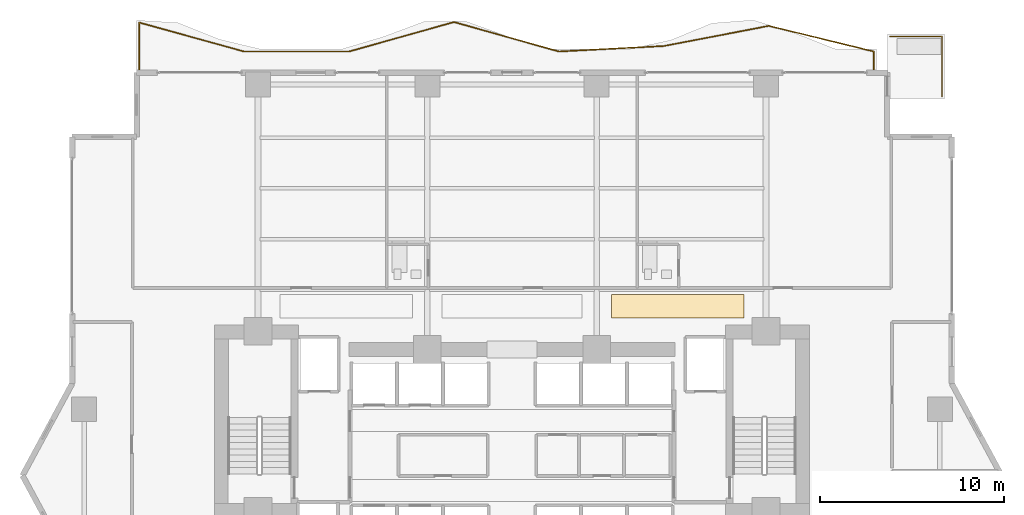
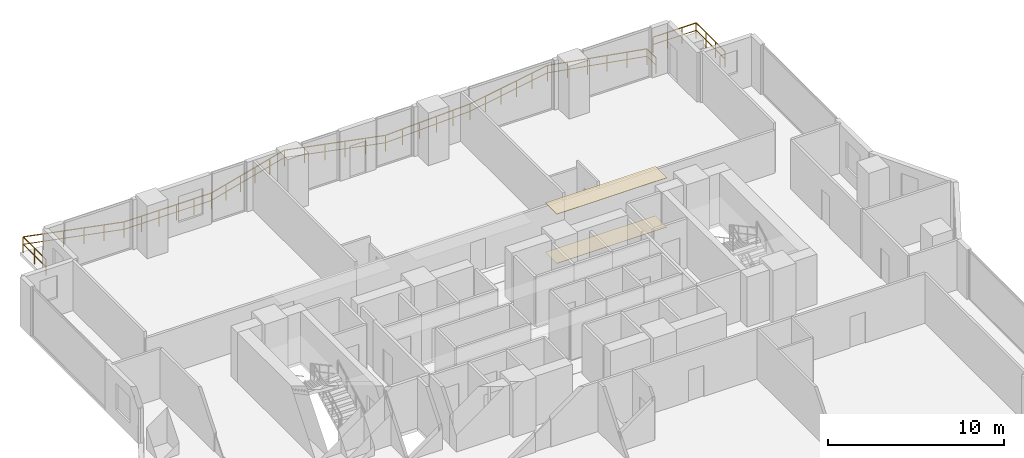
# One storey, part 27 of 28: 2 coverings, 2 railings.
"""IFC4 building model written with IfcOpenShell, lengths in metres."""

from ifc_helpers import new_model, si_unit, direction, frame, origin, origin_2d, place, context, subcontext, project, spatial, polyline, rectangle, outline, extrude, material, layer, layer_set, type_object, element, save


model = new_model("IFC4")

# Units and contexts
model_context = context("Model", 3, precision=1e-05, world=origin(), true_north=direction((0.0, 1.0)))
body_context = subcontext(model_context, "Body", "Model", "MODEL_VIEW")
ifc_project = project(units=[si_unit("LENGTHUNIT", "METRE"), si_unit("AREAUNIT", "SQUARE_METRE"), si_unit("VOLUMEUNIT", "CUBIC_METRE"), si_unit("PLANEANGLEUNIT", "RADIAN"), si_unit("MASSUNIT", "GRAM", prefix="KILO")], contexts=[model_context])

# Site, building, storey
site_placement = place(None, origin())
site = spatial("IfcSite", under=ifc_project, at=site_placement, CompositionType="ELEMENT")
building_placement = place(site_placement, origin())
building = spatial("IfcBuilding", under=site, at=building_placement, Name="Zuhayl Quay Hotel", CompositionType="ELEMENT")
storey_placement = place(building_placement, frame((0.0, 0.0, 143.10009765625)))
storey = spatial("IfcBuildingStorey", under=building, at=storey_placement, Name="L36", CompositionType="ELEMENT", Elevation=143.10009765625)

# Coverings
ifc_material_1 = material(Name="Acoustic Mineral-Fibre Gypsum Board")
ifc_layer_1 = layer(ifc_material_1, 0.02490234375, Name="Acoustic Mineral-Fibre Gypsum Board")
ifc_layer_set_1 = layer_set([ifc_layer_1], Name="Acoustic Mineral-Fibre Gypsum Board")
covering_type_1 = type_object("IfcCoveringType", Name="CV_CEIL_ACOUSTIC", PredefinedType="CEILING", material=ifc_layer_set_1)
covering_1_placement = place(storey_placement, frame((0.0, 0.0, 3.40478515625)))
element("IfcCovering", 1, at=covering_1_placement, inside=storey, type_object=covering_type_1, Name="L36 Guest Corridor Acoustic Ceiling CE", PredefinedType="CEILING", context=body_context, shape_type="SweptSolid", body=[
    extrude(outline(polyline([(5.39990234375, 15.050048828125), (12.60009765625, 15.050048828125), (12.60009765625, 16.35009765625), (5.39990234375, 16.35009765625), (5.39990234375, 15.050048828125)])), origin(), (0.0, 0.0, 1.0), 0.025146484375),
])
ifc_material_2 = material(Name="Polished Limestone Terrazzo", Category="masonry")
ifc_layer_2 = layer(ifc_material_2, 0.02001953125, Name="Polished Limestone Terrazzo", Category="masonry")
ifc_layer_set_2 = layer_set([ifc_layer_2], Name="Polished Limestone Terrazzo")
covering_type_2 = type_object("IfcCoveringType", Name="CV_FLOOR_TERRAZZO", PredefinedType="FLOORING", material=ifc_layer_set_2)
covering_2_placement = place(storey_placement, origin())
element("IfcCovering", 2, at=covering_2_placement, inside=storey, type_object=covering_type_2, Name="L36 Guest Corridor Terrazzo Runner CE", PredefinedType="FLOORING", context=body_context, shape_type="SweptSolid", body=[
    extrude(outline(polyline([(5.39990234375, 15.050048828125), (12.60009765625, 15.050048828125), (12.60009765625, 16.35009765625), (5.39990234375, 16.35009765625), (5.39990234375, 15.050048828125)])), origin(), (0.0, 0.0, 1.0), 0.02001953125),
])

# Railings
ifc_material_3 = material(Name="Anodised Aluminium and Laminated Glass", Category="aluminium")
railing_type = type_object("IfcRailingType", Name="RL_EXT_BAL_1100", PredefinedType="BALUSTRADE", material=ifc_material_3)
railing_1_placement = place(storey_placement, frame((-20.260009765625, 28.52001953125, 0.0)))
element("IfcRailing", 3, at=railing_1_placement, inside=storey, type_object=railing_type, Name="L36 Balcony and Terrace Guard GR_L36_BAL_N", PredefinedType="BALUSTRADE", context=body_context, shape_type="SweptSolid", body=[
    extrude(rectangle(XDim=0.048095703125, YDim=0.048095703125, at=origin_2d()), frame((0.0, 0.0, 1.09619140625), z_axis=(0.0, 1.0, 0.0), x_axis=(-1.0, 0.0, 0.0)), (0.0, 0.0, 1.0), 2.598388671875),
    extrude(rectangle(XDim=0.0361328125, YDim=0.0361328125, at=origin_2d()), frame((0.0, 0.0, 0.58251953125), z_axis=(0.0, 1.0, 0.0), x_axis=(-1.0, 0.0, 0.0)), (0.0, 0.0, 1.0), 2.598388671875),
    extrude(rectangle(XDim=0.048095703125, YDim=0.048095703125, at=origin_2d()), frame((0.0, 2.598388671875, 1.09619140625), z_axis=(0.963768703954, -0.266739358323, 0.0), x_axis=(0.266739358323, 0.963768703954, 0.0)), (0.0, 0.0, 1.0), 5.917236328125),
    extrude(rectangle(XDim=0.0361328125, YDim=0.0361328125, at=origin_2d()), frame((0.0, 2.598388671875, 0.58251953125), z_axis=(0.963768703954, -0.266739358323, 0.0), x_axis=(0.266739358323, 0.963768703954, 0.0)), (0.0, 0.0, 1.0), 5.917236328125),
    extrude(rectangle(XDim=0.048095703125, YDim=0.048095703125, at=origin_2d()), frame((5.702880859375, 1.02001953125, 1.09619140625), z_axis=(1.0, 0.0, 0.0), x_axis=(0.0, 1.0, 0.0)), (0.0, 0.0, 1.0), 5.702880859375),
    extrude(rectangle(XDim=0.0361328125, YDim=0.0361328125, at=origin_2d()), frame((5.702880859375, 1.02001953125, 0.58251953125), z_axis=(1.0, 0.0, 0.0), x_axis=(0.0, 1.0, 0.0)), (0.0, 0.0, 1.0), 5.702880859375),
    extrude(rectangle(XDim=0.048095703125, YDim=0.048095703125, at=origin_2d()), frame((11.40576171875, 1.02001953125, 1.09619140625), z_axis=(0.962798173198, 0.270221534461, 0.0), x_axis=(-0.270221534461, 0.962798173198, 0.0)), (0.0, 0.0, 1.0), 5.92333984375),
    extrude(rectangle(XDim=0.0361328125, YDim=0.0361328125, at=origin_2d()), frame((11.40576171875, 1.02001953125, 0.58251953125), z_axis=(0.962798173198, 0.270221534461, 0.0), x_axis=(-0.270221534461, 0.962798173198, 0.0)), (0.0, 0.0, 1.0), 5.92333984375),
    extrude(rectangle(XDim=0.048095703125, YDim=0.048095703125, at=origin_2d()), frame((17.108642578125, 2.62060546875, 1.09619140625), z_axis=(0.962798173198, -0.270221534461, 0.0), x_axis=(0.270221534461, 0.962798173198, 0.0)), (0.0, 0.0, 1.0), 5.92333984375),
    extrude(rectangle(XDim=0.0361328125, YDim=0.0361328125, at=origin_2d()), frame((17.108642578125, 2.62060546875, 0.58251953125), z_axis=(0.962798173198, -0.270221534461, 0.0), x_axis=(0.270221534461, 0.962798173198, 0.0)), (0.0, 0.0, 1.0), 5.92333984375),
    extrude(rectangle(XDim=0.048095703125, YDim=0.048095703125, at=origin_2d()), frame((22.8115234375, 1.02001953125, 1.09619140625), z_axis=(0.998634431076, 0.052242445086, 0.0), x_axis=(-0.052242445086, 0.998634431076, 0.0)), (0.0, 0.0, 1.0), 5.710693359375),
    extrude(rectangle(XDim=0.0361328125, YDim=0.0361328125, at=origin_2d()), frame((22.8115234375, 1.02001953125, 0.58251953125), z_axis=(0.998634431076, 0.052242445086, 0.0), x_axis=(-0.052242445086, 0.998634431076, 0.0)), (0.0, 0.0, 1.0), 5.710693359375),
    extrude(rectangle(XDim=0.048095703125, YDim=0.048095703125, at=origin_2d()), frame((28.514404296875, 1.318359375, 1.09619140625), z_axis=(0.982052599518, 0.18860724212, 0.0), x_axis=(-0.18860724212, 0.982052599518, 0.0)), (0.0, 0.0, 1.0), 5.806884765625),
    extrude(rectangle(XDim=0.0361328125, YDim=0.0361328125, at=origin_2d()), frame((28.514404296875, 1.318359375, 0.58251953125), z_axis=(0.982052599518, 0.18860724212, 0.0), x_axis=(-0.18860724212, 0.982052599518, 0.0)), (0.0, 0.0, 1.0), 5.806884765625),
    extrude(rectangle(XDim=0.048095703125, YDim=0.048095703125, at=origin_2d()), frame((34.217041015625, 2.41357421875, 1.09619140625), z_axis=(0.971417975036, -0.237375478467, 0.0), x_axis=(0.237375478467, 0.971417975036, 0.0)), (0.0, 0.0, 1.0), 5.87060546875),
    extrude(rectangle(XDim=0.0361328125, YDim=0.0361328125, at=origin_2d()), frame((34.217041015625, 2.41357421875, 0.58251953125), z_axis=(0.971417975036, -0.237375478467, 0.0), x_axis=(0.237375478467, 0.971417975036, 0.0)), (0.0, 0.0, 1.0), 5.87060546875),
    extrude(rectangle(XDim=0.048095703125, YDim=0.048095703125, at=origin_2d()), frame((39.919921875, 1.02001953125, 1.09619140625), z_axis=(0.0, -1.0, 0.0), x_axis=(1.0, 0.0, 0.0)), (0.0, 0.0, 1.0), 1.02001953125),
    extrude(rectangle(XDim=0.0361328125, YDim=0.0361328125, at=origin_2d()), frame((39.919921875, 1.02001953125, 0.58251953125), z_axis=(0.0, -1.0, 0.0), x_axis=(1.0, 0.0, 0.0)), (0.0, 0.0, 1.0), 1.02001953125),
    extrude(rectangle(XDim=0.0419921875, YDim=0.0419921875, at=origin_2d()), origin(), (0.0, 0.0, 1.0), 1.072021484375),
    extrude(rectangle(XDim=0.0419921875, YDim=0.0419921875, at=origin_2d()), frame((0.0, 1.29931640625, 0.0)), (0.0, 0.0, 1.0), 1.072021484375),
    extrude(rectangle(XDim=0.0419921875, YDim=0.0419921875, at=origin_2d()), frame((0.0, 2.598388671875, 0.0)), (0.0, 0.0, 1.0), 1.072021484375),
    extrude(rectangle(XDim=0.0419921875, YDim=0.0419921875, at=origin_2d()), frame((1.140625, 2.28271484375, 0.0)), (0.0, 0.0, 1.0), 1.072021484375),
    extrude(rectangle(XDim=0.0419921875, YDim=0.0419921875, at=origin_2d()), frame((2.28125, 1.967041015625, 0.0)), (0.0, 0.0, 1.0), 1.072021484375),
    extrude(rectangle(XDim=0.0419921875, YDim=0.0419921875, at=origin_2d()), frame((3.421630859375, 1.6513671875, 0.0)), (0.0, 0.0, 1.0), 1.072021484375),
    extrude(rectangle(XDim=0.0419921875, YDim=0.0419921875, at=origin_2d()), frame((4.562255859375, 1.335693359375, 0.0)), (0.0, 0.0, 1.0), 1.072021484375),
    extrude(rectangle(XDim=0.0419921875, YDim=0.0419921875, at=origin_2d()), frame((5.702880859375, 1.02001953125, 0.0)), (0.0, 0.0, 1.0), 1.072021484375),
    extrude(rectangle(XDim=0.0419921875, YDim=0.0419921875, at=origin_2d()), frame((6.843505859375, 1.02001953125, 0.0)), (0.0, 0.0, 1.0), 1.072021484375),
    extrude(rectangle(XDim=0.0419921875, YDim=0.0419921875, at=origin_2d()), frame((7.984130859375, 1.02001953125, 0.0)), (0.0, 0.0, 1.0), 1.072021484375),
    extrude(rectangle(XDim=0.0419921875, YDim=0.0419921875, at=origin_2d()), frame((9.12451171875, 1.02001953125, 0.0)), (0.0, 0.0, 1.0), 1.072021484375),
    extrude(rectangle(XDim=0.0419921875, YDim=0.0419921875, at=origin_2d()), frame((10.26513671875, 1.02001953125, 0.0)), (0.0, 0.0, 1.0), 1.072021484375),
    extrude(rectangle(XDim=0.0419921875, YDim=0.0419921875, at=origin_2d()), frame((11.40576171875, 1.02001953125, 0.0)), (0.0, 0.0, 1.0), 1.072021484375),
    extrude(rectangle(XDim=0.0419921875, YDim=0.0419921875, at=origin_2d()), frame((12.54638671875, 1.340087890625, 0.0)), (0.0, 0.0, 1.0), 1.072021484375),
    extrude(rectangle(XDim=0.0419921875, YDim=0.0419921875, at=origin_2d()), frame((13.68701171875, 1.66015625, 0.0)), (0.0, 0.0, 1.0), 1.072021484375),
    extrude(rectangle(XDim=0.0419921875, YDim=0.0419921875, at=origin_2d()), frame((14.827392578125, 1.98046875, 0.0)), (0.0, 0.0, 1.0), 1.072021484375),
    extrude(rectangle(XDim=0.0419921875, YDim=0.0419921875, at=origin_2d()), frame((15.968017578125, 2.300537109375, 0.0)), (0.0, 0.0, 1.0), 1.072021484375),
    extrude(rectangle(XDim=0.0419921875, YDim=0.0419921875, at=origin_2d()), frame((17.108642578125, 2.62060546875, 0.0)), (0.0, 0.0, 1.0), 1.072021484375),
    extrude(rectangle(XDim=0.0419921875, YDim=0.0419921875, at=origin_2d()), frame((18.249267578125, 2.300537109375, 0.0)), (0.0, 0.0, 1.0), 1.072021484375),
    extrude(rectangle(XDim=0.0419921875, YDim=0.0419921875, at=origin_2d()), frame((19.389892578125, 1.98046875, 0.0)), (0.0, 0.0, 1.0), 1.072021484375),
    extrude(rectangle(XDim=0.0419921875, YDim=0.0419921875, at=origin_2d()), frame((20.5302734375, 1.66015625, 0.0)), (0.0, 0.0, 1.0), 1.072021484375),
    extrude(rectangle(XDim=0.0419921875, YDim=0.0419921875, at=origin_2d()), frame((21.6708984375, 1.340087890625, 0.0)), (0.0, 0.0, 1.0), 1.072021484375),
    extrude(rectangle(XDim=0.0419921875, YDim=0.0419921875, at=origin_2d()), frame((22.8115234375, 1.02001953125, 0.0)), (0.0, 0.0, 1.0), 1.072021484375),
    extrude(rectangle(XDim=0.0419921875, YDim=0.0419921875, at=origin_2d()), frame((23.9521484375, 1.07958984375, 0.0)), (0.0, 0.0, 1.0), 1.072021484375),
    extrude(rectangle(XDim=0.0419921875, YDim=0.0419921875, at=origin_2d()), frame((25.0927734375, 1.139404296875, 0.0)), (0.0, 0.0, 1.0), 1.072021484375),
    extrude(rectangle(XDim=0.0419921875, YDim=0.0419921875, at=origin_2d()), frame((26.233154296875, 1.198974609375, 0.0)), (0.0, 0.0, 1.0), 1.072021484375),
    extrude(rectangle(XDim=0.0419921875, YDim=0.0419921875, at=origin_2d()), frame((27.373779296875, 1.2587890625, 0.0)), (0.0, 0.0, 1.0), 1.072021484375),
    extrude(rectangle(XDim=0.0419921875, YDim=0.0419921875, at=origin_2d()), frame((28.514404296875, 1.318359375, 0.0)), (0.0, 0.0, 1.0), 1.072021484375),
    extrude(rectangle(XDim=0.0419921875, YDim=0.0419921875, at=origin_2d()), frame((29.655029296875, 1.537353515625, 0.0)), (0.0, 0.0, 1.0), 1.072021484375),
    extrude(rectangle(XDim=0.0419921875, YDim=0.0419921875, at=origin_2d()), frame((30.79541015625, 1.75634765625, 0.0)), (0.0, 0.0, 1.0), 1.072021484375),
    extrude(rectangle(XDim=0.0419921875, YDim=0.0419921875, at=origin_2d()), frame((31.93603515625, 1.9755859375, 0.0)), (0.0, 0.0, 1.0), 1.072021484375),
    extrude(rectangle(XDim=0.0419921875, YDim=0.0419921875, at=origin_2d()), frame((33.076416015625, 2.194580078125, 0.0)), (0.0, 0.0, 1.0), 1.072021484375),
    extrude(rectangle(XDim=0.0419921875, YDim=0.0419921875, at=origin_2d()), frame((34.217041015625, 2.41357421875, 0.0)), (0.0, 0.0, 1.0), 1.072021484375),
    extrude(rectangle(XDim=0.0419921875, YDim=0.0419921875, at=origin_2d()), frame((35.357666015625, 2.134765625, 0.0)), (0.0, 0.0, 1.0), 1.072021484375),
    extrude(rectangle(XDim=0.0419921875, YDim=0.0419921875, at=origin_2d()), frame((36.498291015625, 1.856201171875, 0.0)), (0.0, 0.0, 1.0), 1.072021484375),
    extrude(rectangle(XDim=0.0419921875, YDim=0.0419921875, at=origin_2d()), frame((37.638671875, 1.577392578125, 0.0)), (0.0, 0.0, 1.0), 1.072021484375),
    extrude(rectangle(XDim=0.0419921875, YDim=0.0419921875, at=origin_2d()), frame((38.779296875, 1.298828125, 0.0)), (0.0, 0.0, 1.0), 1.072021484375),
    extrude(rectangle(XDim=0.0419921875, YDim=0.0419921875, at=origin_2d()), frame((39.919921875, 1.02001953125, 0.0)), (0.0, 0.0, 1.0), 1.072021484375),
    extrude(rectangle(XDim=0.0419921875, YDim=0.0419921875, at=origin_2d()), frame((39.919921875, 0.0, 0.0)), (0.0, 0.0, 1.0), 1.072021484375),
])
railing_2_placement = place(storey_placement, frame((23.360107421875, 27.090087890625, 0.0)))
element("IfcRailing", 4, at=railing_2_placement, inside=storey, type_object=railing_type, Name="L36 Balcony and Terrace Guard GR_L36_SPIRAL_NE", PredefinedType="BALUSTRADE", context=body_context, shape_type="SweptSolid", body=[
    extrude(rectangle(XDim=0.048095703125, YDim=0.048095703125, at=origin_2d()), frame((0.0, 0.0, 1.09619140625), z_axis=(0.0, 1.0, 0.0), x_axis=(-1.0, 0.0, 0.0)), (0.0, 0.0, 1.0), 3.27001953125),
    extrude(rectangle(XDim=0.0361328125, YDim=0.0361328125, at=origin_2d()), frame((0.0, 0.0, 0.58251953125), z_axis=(0.0, 1.0, 0.0), x_axis=(-1.0, 0.0, 0.0)), (0.0, 0.0, 1.0), 3.27001953125),
    extrude(rectangle(XDim=0.048095703125, YDim=0.048095703125, at=origin_2d()), frame((0.0, 3.27001953125, 1.09619140625), z_axis=(-1.0, 0.0, 0.0), x_axis=(0.0, -1.0, 0.0)), (0.0, 0.0, 1.0), 2.820068359375),
    extrude(rectangle(XDim=0.0361328125, YDim=0.0361328125, at=origin_2d()), frame((0.0, 3.27001953125, 0.58251953125), z_axis=(-1.0, 0.0, 0.0), x_axis=(0.0, -1.0, 0.0)), (0.0, 0.0, 1.0), 2.820068359375),
    extrude(rectangle(XDim=0.0419921875, YDim=0.0419921875, at=origin_2d()), origin(), (0.0, 0.0, 1.0), 1.072021484375),
    extrude(rectangle(XDim=0.0419921875, YDim=0.0419921875, at=origin_2d()), frame((0.0, 1.090087890625, 0.0)), (0.0, 0.0, 1.0), 1.072021484375),
    extrude(rectangle(XDim=0.0419921875, YDim=0.0419921875, at=origin_2d()), frame((0.0, 2.179931640625, 0.0)), (0.0, 0.0, 1.0), 1.072021484375),
    extrude(rectangle(XDim=0.0419921875, YDim=0.0419921875, at=origin_2d()), frame((0.0, 3.27001953125, 0.0)), (0.0, 0.0, 1.0), 1.072021484375),
    extrude(rectangle(XDim=0.0419921875, YDim=0.0419921875, at=origin_2d()), frame((-0.93994140625, 3.27001953125, 0.0)), (0.0, 0.0, 1.0), 1.072021484375),
    extrude(rectangle(XDim=0.0419921875, YDim=0.0419921875, at=origin_2d()), frame((-1.880126953125, 3.27001953125, 0.0)), (0.0, 0.0, 1.0), 1.072021484375),
    extrude(rectangle(XDim=0.0419921875, YDim=0.0419921875, at=origin_2d()), frame((-2.820068359375, 3.27001953125, 0.0)), (0.0, 0.0, 1.0), 1.072021484375),
])

save(model, "model.ifc")
